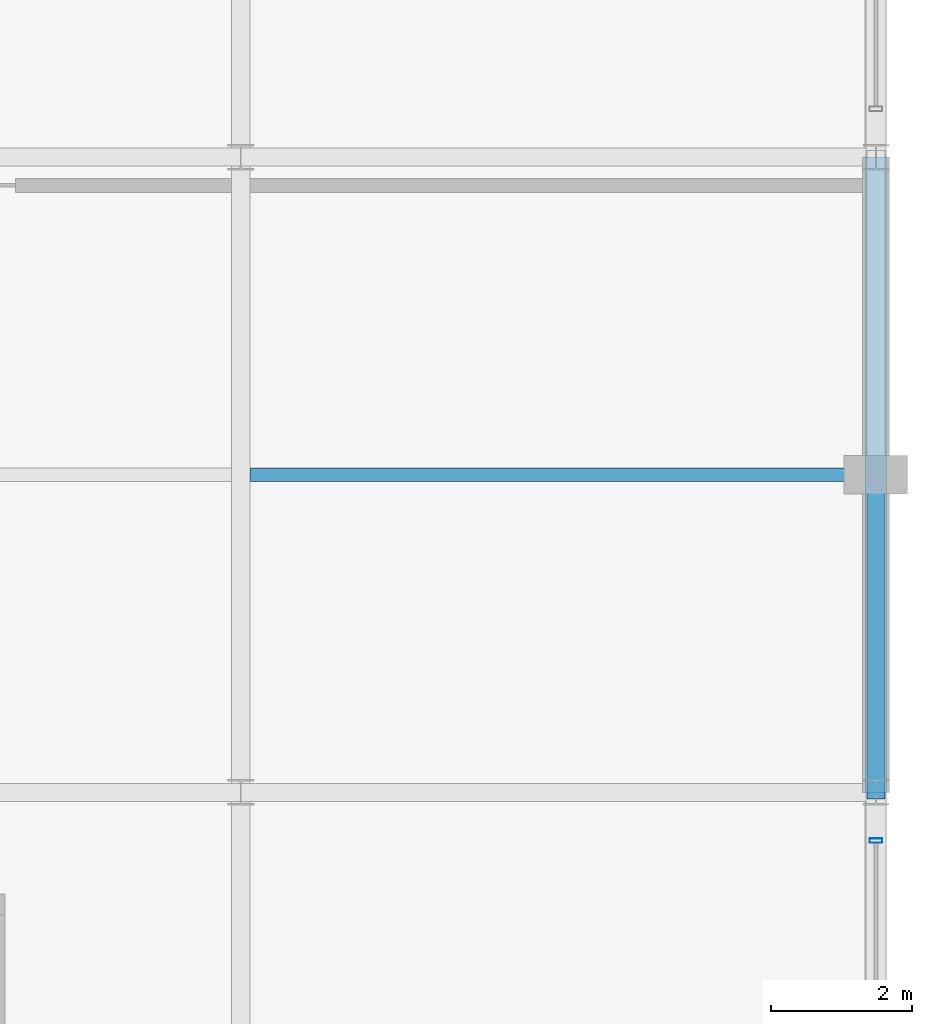
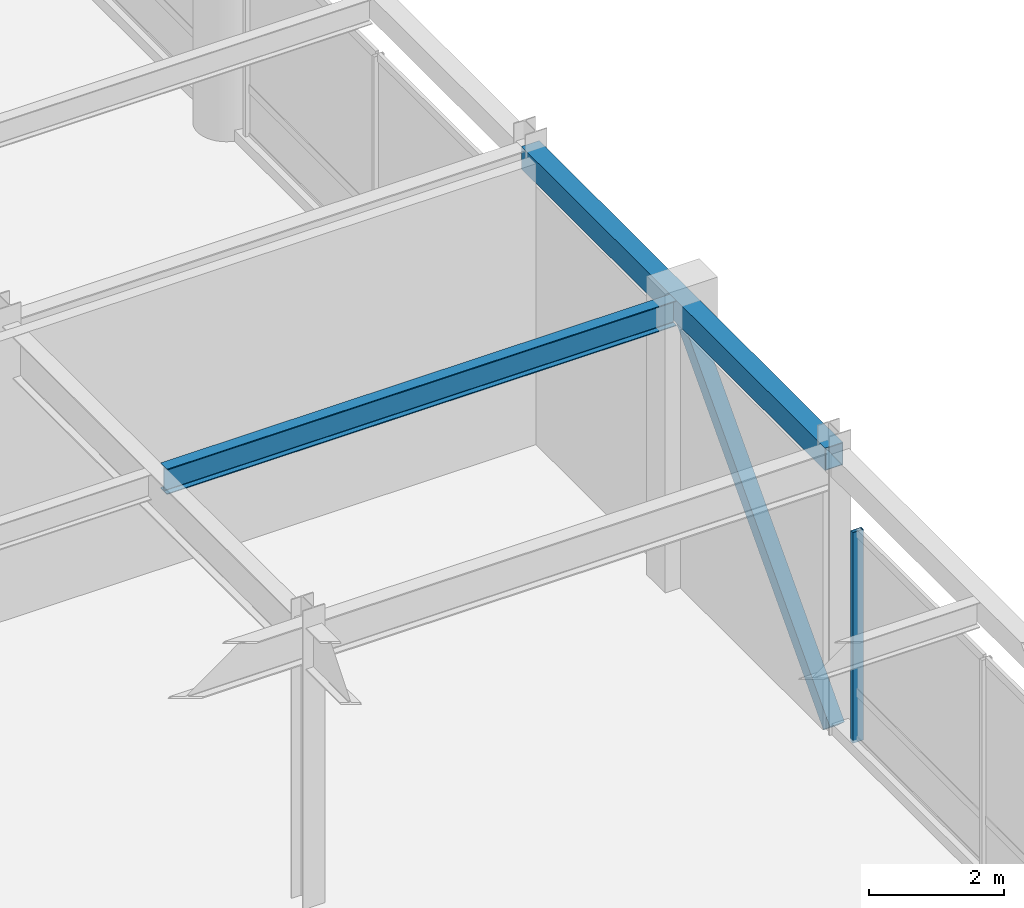
# One storey, part 45 of 100: 2 beams, 2 members, 1 element without a shape of its own.
"""IFC4 building model written with IfcOpenShell, lengths in metres."""

from ifc_helpers import new_model, si_unit, direction, frame, origin, origin_2d, place, context, subcontext, project, spatial, hollow_rectangle, i_section, extrude, material, material_profile, profile_set, type_object, element, aggregate, save


model = new_model("IFC4")

# Units and contexts
model_context = context("Model", 3, precision=1e-05, world=origin(), true_north=direction((0.0, 1.0)))
body_context = subcontext(model_context, "Body", "Model", "MODEL_VIEW")
ifc_project = project(units=[si_unit("LENGTHUNIT", "METRE"), si_unit("AREAUNIT", "SQUARE_METRE"), si_unit("VOLUMEUNIT", "CUBIC_METRE"), si_unit("PLANEANGLEUNIT", "RADIAN"), si_unit("MASSUNIT", "GRAM", prefix="KILO")], contexts=[model_context])

# Site, building, storey
site_placement = place(None, origin())
site = spatial("IfcSite", under=ifc_project, at=site_placement, CompositionType="ELEMENT")
building_placement = place(site_placement, origin())
building = spatial("IfcBuilding", under=site, at=building_placement, Name="Kaldorvane Square Convention Centre", CompositionType="ELEMENT")
storey_placement = place(building_placement, frame((0.0, 0.0, 18.0)))
storey = spatial("IfcBuildingStorey", under=building, at=storey_placement, Name="L03", CompositionType="ELEMENT", Elevation=18.0)

# Beams
ifc_material_1 = material(Name="Steel ASTM A992 Gr. 50", Category="steel")
ifc_material_profile_1 = material_profile(ifc_material_1, i_section(OverallWidth=0.1912994384765625, OverallDepth=0.4600067138671875, WebThickness=0.0099029541015625, FlangeThickness=0.0160064697265625, FilletRadius=0.01019287109375, at=origin_2d()), Name="W18X55")
ifc_profile_set_1 = profile_set([ifc_material_profile_1], Name="Steel ASTM A992 Gr. 50")
beam_type_1 = type_object("IfcBeamType", Name="BM-JS-W18X55", PredefinedType="JOIST", material=ifc_profile_set_1)
beam_1_placement = place(storey_placement, frame((165.13330078125, 13.5, 4.8459930419921875), z_axis=(1.0, 0.0, 0.0), x_axis=(0.0, 1.0, 0.0)))
element("IfcBeam", 1, at=beam_1_placement, inside=storey, type_object=beam_type_1, Name="Secondary Floor Joist (L03)", PredefinedType="JOIST", context=body_context, shape_type="SweptSolid", body=[
    extrude(i_section(OverallWidth=0.1912994384765625, OverallDepth=0.4600067138671875, WebThickness=0.0099029541015625, FlangeThickness=0.0160064697265625, FilletRadius=0.01019287109375, at=origin_2d()), origin(), (0.0, 0.0, 1.0), 8.71429443359375),
])
ifc_material_2 = material(Name="Steel ASTM A500 Gr. C", Category="steel")
ifc_material_profile_2 = material_profile(ifc_material_2, hollow_rectangle(XDim=0.3047943115234375, YDim=0.406402587890625, WallThickness=0.0117950439453125, at=origin_2d()), Name="HSS16X12X1/2")
ifc_profile_set_2 = profile_set([ifc_material_profile_2], Name="Steel ASTM A500 Gr. C")
beam_type_2 = type_object("IfcBeamType", Name="BM-SP-HSS16", PredefinedType="SPANDREL", material=ifc_profile_set_2)
beam_2_placement = place(storey_placement, frame((174.0, 9.0, 4.872802734375), z_axis=(0.0, 1.0, 0.0), x_axis=(-1.0, 0.0, 0.0)))
element("IfcBeam", 2, at=beam_2_placement, inside=storey, type_object=beam_type_2, Name="End Spandrel (L03)", PredefinedType="SPANDREL", context=body_context, shape_type="SweptSolid", body=[
    extrude(hollow_rectangle(XDim=0.3047943115234375, YDim=0.406402587890625, WallThickness=0.0117950439453125, at=origin_2d()), origin(), (0.0, 0.0, 1.0), 9.0),
])

# Curtain wall, member
ifc_material_3 = material(Name="Anodized Aluminum and Low-E Insulated Glazing", Category="aluminium")
curtain_wall_type = type_object("IfcCurtainWallType", Name="CW-UNI-P54-09", PredefinedType="USERDEFINED", material=ifc_material_3)
curtain_wall_placement = place(storey_placement, origin())
curtain_wall = element("IfcCurtainWall", 3, at=curtain_wall_placement, inside=storey, type_object=curtain_wall_type, Name="Curtain Wall CW-04 (L03)", ObjectType="UNITISED GLAZING", PredefinedType="USERDEFINED")
ifc_material_profile_3 = material_profile(ifc_material_3, hollow_rectangle(XDim=0.06500244140625, YDim=0.17999267578125, WallThickness=0.0034942626953125, at=origin_2d()), Name="CWM-180X65")
ifc_profile_set_3 = profile_set([ifc_material_profile_3], Name="Anodized Aluminum and Low-E Insulated Glazing")
member_type_1 = type_object("IfcMemberType", Name="CW-MUL-180", PredefinedType="MULLION", material=ifc_profile_set_3)
member_1_placement = place(storey_placement, frame((174.0, 8.3175048828125, 0.149993896484375), z_axis=(0.0, 0.0, 1.0), x_axis=(0.0, 1.0, 0.0)))
member_1 = element("IfcMember", 4, at=member_1_placement, type_object=member_type_1, Name="CW-04 mullion 3", PredefinedType="MULLION", context=body_context, shape_type="SweptSolid", body=[
    extrude(hollow_rectangle(XDim=0.06500244140625, YDim=0.17999267578125, WallThickness=0.0034942626953125, at=origin_2d()), origin(), (0.0, 0.0, 1.0), 3.8100128173828125),
])
aggregate(curtain_wall, [member_1])

# Member
ifc_material_profile_4 = material_profile(ifc_material_2, hollow_rectangle(XDim=0.253997802734375, YDim=0.253997802734375, WallThickness=0.0117950439453125, at=origin_2d()), Name="HSS10X10X1/2")
ifc_profile_set_4 = profile_set([ifc_material_profile_4], Name="Steel ASTM A500 Gr. C")
member_type_2 = type_object("IfcMemberType", Name="MB-BR-HSS10", PredefinedType="BRACE", material=ifc_profile_set_4)
member_2_placement = place(storey_placement, frame((174.0, 9.0, 0.0), z_axis=(0.0, 0.678445192455, 0.73465101976), x_axis=(-1.0, 0.0, 0.0)))
element("IfcMember", 5, at=member_2_placement, inside=storey, type_object=member_type_2, Name="Seismic Chevron Brace X174-B1A (L03)", PredefinedType="BRACE", context=body_context, shape_type="SweptSolid", body=[
    extrude(hollow_rectangle(XDim=0.253997802734375, YDim=0.253997802734375, WallThickness=0.0117950439453125, at=origin_2d()), origin(), (0.0, 0.0, 1.0), 6.6328125),
])

save(model, "model.ifc")
